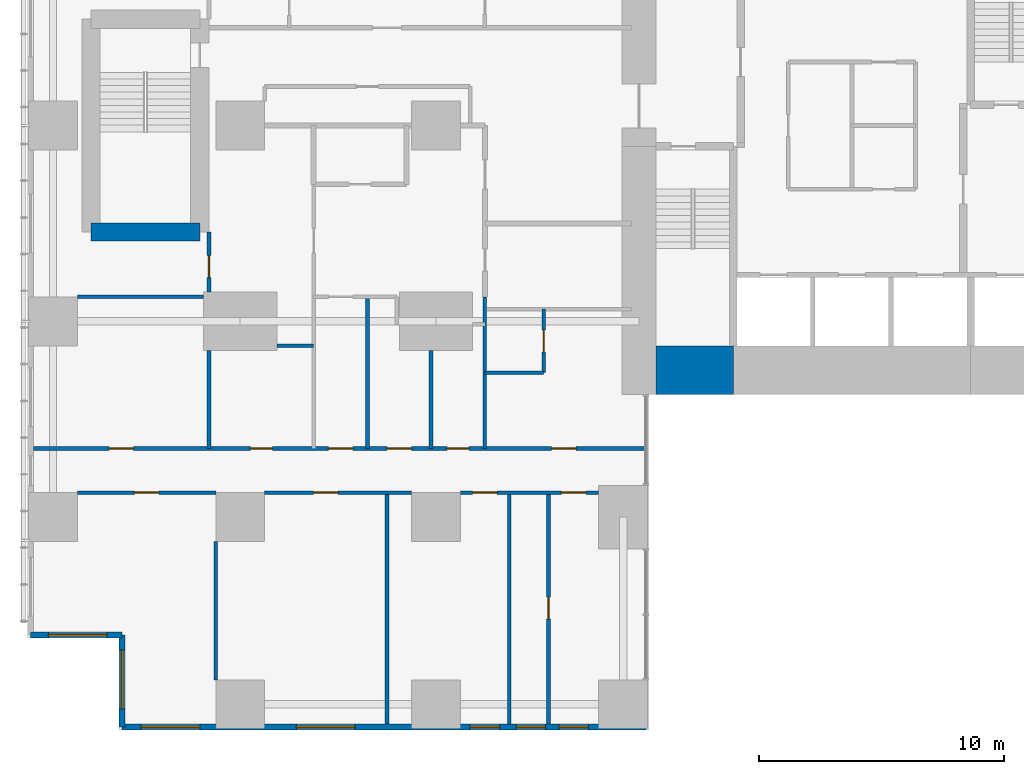
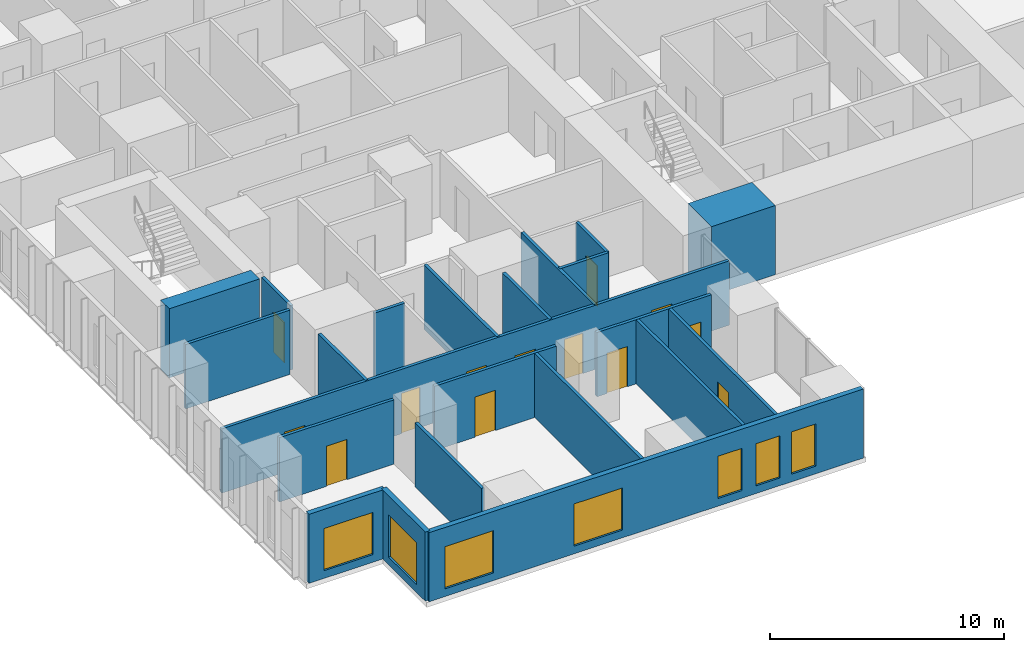
# One storey, part 12 of 20: 22 walls, 13 doors, 7 windows, 20 openings.
"""IFC4 building model written with IfcOpenShell, lengths in metres."""

from ifc_helpers import new_model, si_unit, direction, frame, frame_2d, origin, place, context, subcontext, project, spatial, rectangle, extrude, material, layer, layer_set, type_object, element, fill, save


model = new_model("IFC4")

# Units and contexts
model_context = context("Model", 3, precision=1e-05, world=origin(), true_north=direction((0.0, 1.0)))
body_context = subcontext(model_context, "Body", "Model", "MODEL_VIEW")
ifc_project = project(units=[si_unit("LENGTHUNIT", "METRE"), si_unit("AREAUNIT", "SQUARE_METRE"), si_unit("VOLUMEUNIT", "CUBIC_METRE"), si_unit("PLANEANGLEUNIT", "RADIAN"), si_unit("MASSUNIT", "GRAM", prefix="KILO")], contexts=[model_context])

# Site, building, storey
site_placement = place(None, origin())
site = spatial("IfcSite", under=ifc_project, at=site_placement, CompositionType="ELEMENT")
building_placement = place(site_placement, origin())
building = spatial("IfcBuilding", under=site, at=building_placement, Name="Cleftline Residences", CompositionType="ELEMENT")
storey_placement = place(building_placement, frame((0.0, 0.0, 103.39990234375)))
storey = spatial("IfcBuildingStorey", under=building, at=storey_placement, Name="L26", CompositionType="ELEMENT", Elevation=103.39990234375)

# Wall
ifc_material_1 = material(Name="Concrete B70", Category="concrete")
ifc_layer_1 = layer(ifc_material_1, 2.0)
ifc_layer_set_1 = layer_set([ifc_layer_1], Name="CORE WALL 2000")
wall_type_1 = type_object("IfcWallType", Name="CORE WALL 2000", PredefinedType="SHEAR", material=ifc_layer_set_1)
wall_1_placement = place(storey_placement, frame((25.0, 14.0, 0.0), z_axis=(0.0, 0.0, 1.0), x_axis=(1.0, 0.0, 0.0)))
element("IfcWall", 1, at=wall_1_placement, inside=storey, type_object=wall_type_1, Name="Core wall S1", PredefinedType="SHEAR", context=body_context, shape_type="SweptSolid", body=[
    extrude(rectangle(XDim=3.14990234375, YDim=2.0, at=frame_2d((1.574951171875, 0.0))), origin(), (0.0, 0.0, 1.0), 3.60009765625),
])

# Wall, opening, window
ifc_material_2 = material(Name="Rendered reinforced concrete blockwork", Category="masonry")
ifc_layer_2 = layer(ifc_material_2, 0.25)
ifc_layer_set_2 = layer_set([ifc_layer_2], Name="EXTERNAL WALL 250")
wall_type_2 = type_object("IfcWallType", Name="EXTERNAL WALL 250", PredefinedType="SOLIDWALL", material=ifc_layer_set_2)
wall_2_placement = place(storey_placement, frame((-0.574951171875, 3.175048828125, 0.0), z_axis=(0.0, 0.0, 1.0), x_axis=(1.0, 0.0, 0.0)))
wall_2 = element("IfcWall", 2, at=wall_2_placement, inside=storey, type_object=wall_type_2, Name="External wall", PredefinedType="SOLIDWALL", context=body_context, shape_type="SweptSolid", body=[
    extrude(rectangle(XDim=3.75, YDim=0.25, at=frame_2d((1.875, 0.0))), origin(), (0.0, 0.0, 1.0), 3.60009765625),
])
opening_1_placement = place(wall_2_placement, frame((0.737548828125, 0.0, 0.39990234375)))
opening_1 = element("IfcOpeningElement", 3, at=opening_1_placement, cuts=wall_2, Name="Opening W12", PredefinedType="OPENING", context=body_context, shape_type="SweptSolid", body=[
    extrude(rectangle(XDim=2.39990234375, YDim=2.199951171875, at=frame_2d((1.199951171875, 1.10009765625))), frame((0.0, 0.135009765625, 0.0), z_axis=(0.0, -1.0, 0.0), x_axis=(1.0, 0.0, 0.0)), (0.0, 0.0, 1.0), 0.27001953125),
])
ifc_material_3 = material(Name="Aluminium frame, clear double glazing", Category="aluminium")
window_type_1 = type_object("IfcWindowType", Name="WINDOW 2400X2200", PartitioningType="DOUBLE_PANEL_VERTICAL", PredefinedType="WINDOW", material=ifc_material_3)
window_1_placement = place(opening_1_placement, origin())
window_1 = element("IfcWindow", 4, at=window_1_placement, inside=storey, type_object=window_type_1, Name="Window", OverallHeight=2.199951171875, OverallWidth=2.39990234375, PartitioningType="SINGLE_PANEL", PredefinedType="WINDOW", context=body_context, shape_type="SweptSolid", body=[
    extrude(rectangle(XDim=2.39990234375, YDim=2.199951171875, at=frame_2d((1.199951171875, 1.10009765625))), frame((0.0, 0.030029296875, 0.0), z_axis=(0.0, -1.0, 0.0), x_axis=(1.0, 0.0, 0.0)), (0.0, 0.0, 1.0), 0.06005859375),
])
fill(opening_1, window_1)

wall_3_placement = place(storey_placement, frame((3.175048828125, 3.175048828125, 0.0), z_axis=(0.0, 0.0, 1.0), x_axis=(0.0, -1.0, 0.0)))
wall_3 = element("IfcWall", 5, at=wall_3_placement, inside=storey, type_object=wall_type_2, Name="External wall", PredefinedType="SOLIDWALL", context=body_context, shape_type="SweptSolid", body=[
    extrude(rectangle(XDim=3.75, YDim=0.25, at=frame_2d((1.875, 0.0))), origin(), (0.0, 0.0, 1.0), 3.60009765625),
])
opening_2_placement = place(wall_3_placement, frame((0.612548828125, 0.0, 0.39990234375)))
opening_2 = element("IfcOpeningElement", 6, at=opening_2_placement, cuts=wall_3, Name="Opening W12", PredefinedType="OPENING", context=body_context, shape_type="SweptSolid", body=[
    extrude(rectangle(XDim=2.39990234375, YDim=2.199951171875, at=frame_2d((1.199951171875, 1.10009765625))), frame((0.0, 0.135009765625, 0.0), z_axis=(0.0, -1.0, 0.0), x_axis=(1.0, 0.0, 0.0)), (0.0, 0.0, 1.0), 0.27001953125),
])
window_2_placement = place(opening_2_placement, origin())
window_2 = element("IfcWindow", 7, at=window_2_placement, inside=storey, type_object=window_type_1, Name="Window", OverallHeight=2.199951171875, OverallWidth=2.39990234375, PartitioningType="SINGLE_PANEL", PredefinedType="WINDOW", context=body_context, shape_type="SweptSolid", body=[
    extrude(rectangle(XDim=2.39990234375, YDim=2.199951171875, at=frame_2d((1.199951171875, 1.10009765625))), frame((0.0, 0.030029296875, 0.0), z_axis=(0.0, -1.0, 0.0), x_axis=(1.0, 0.0, 0.0)), (0.0, 0.0, 1.0), 0.06005859375),
])
fill(opening_2, window_2)

# Wall, openings, windows
wall_4_placement = place(storey_placement, frame((3.175048828125, -0.574951171875, 0.0), z_axis=(0.0, 0.0, 1.0), x_axis=(1.0, 0.0, 0.0)))
wall_4 = element("IfcWall", 8, at=wall_4_placement, inside=storey, type_object=wall_type_2, Name="External wall", PredefinedType="SOLIDWALL", context=body_context, shape_type="SweptSolid", body=[
    extrude(rectangle(XDim=21.39990234375, YDim=0.25, at=frame_2d((10.699951171875, 0.0))), origin(), (0.0, 0.0, 1.0), 3.60009765625),
])
opening_3_placement = place(wall_4_placement, frame((0.77490234375, 0.0, 0.39990234375)))
opening_3 = element("IfcOpeningElement", 9, at=opening_3_placement, cuts=wall_4, Name="Opening W12", PredefinedType="OPENING", context=body_context, shape_type="SweptSolid", body=[
    extrude(rectangle(XDim=2.39990234375, YDim=2.199951171875, at=frame_2d((1.199951171875, 1.10009765625))), frame((0.0, 0.135009765625, 0.0), z_axis=(0.0, -1.0, 0.0), x_axis=(1.0, 0.0, 0.0)), (0.0, 0.0, 1.0), 0.27001953125),
])
opening_4_placement = place(wall_4_placement, frame((7.125, 0.0, 0.39990234375)))
opening_4 = element("IfcOpeningElement", 10, at=opening_4_placement, cuts=wall_4, Name="Opening W12", PredefinedType="OPENING", context=body_context, shape_type="SweptSolid", body=[
    extrude(rectangle(XDim=2.39990234375, YDim=2.199951171875, at=frame_2d((1.199951171875, 1.10009765625))), frame((0.0, 0.135009765625, 0.0), z_axis=(0.0, -1.0, 0.0), x_axis=(1.0, 0.0, 0.0)), (0.0, 0.0, 1.0), 0.27001953125),
])
opening_5_placement = place(wall_4_placement, frame((14.22509765625, 0.0, 0.39990234375)))
opening_5 = element("IfcOpeningElement", 11, at=opening_5_placement, cuts=wall_4, Name="Opening W11", PredefinedType="OPENING", context=body_context, shape_type="SweptSolid", body=[
    extrude(rectangle(XDim=1.199951171875, YDim=2.199951171875, at=frame_2d((0.60009765625, 1.10009765625))), frame((0.0, 0.135009765625, 0.0), z_axis=(0.0, -1.0, 0.0), x_axis=(1.0, 0.0, 0.0)), (0.0, 0.0, 1.0), 0.27001953125),
])
opening_6_placement = place(wall_4_placement, frame((16.10009765625, 0.0, 0.39990234375)))
opening_6 = element("IfcOpeningElement", 12, at=opening_6_placement, cuts=wall_4, Name="Opening W11", PredefinedType="OPENING", context=body_context, shape_type="SweptSolid", body=[
    extrude(rectangle(XDim=1.199951171875, YDim=2.199951171875, at=frame_2d((0.60009765625, 1.10009765625))), frame((0.0, 0.135009765625, 0.0), z_axis=(0.0, -1.0, 0.0), x_axis=(1.0, 0.0, 0.0)), (0.0, 0.0, 1.0), 0.27001953125),
])
opening_7_placement = place(wall_4_placement, frame((17.85009765625, 0.0, 0.39990234375)))
opening_7 = element("IfcOpeningElement", 13, at=opening_7_placement, cuts=wall_4, Name="Opening W11", PredefinedType="OPENING", context=body_context, shape_type="SweptSolid", body=[
    extrude(rectangle(XDim=1.199951171875, YDim=2.199951171875, at=frame_2d((0.60009765625, 1.10009765625))), frame((0.0, 0.135009765625, 0.0), z_axis=(0.0, -1.0, 0.0), x_axis=(1.0, 0.0, 0.0)), (0.0, 0.0, 1.0), 0.27001953125),
])
ifc_material_4 = material(Name="Aluminium frame, clear double glazing", Category="aluminium")
window_type_2 = type_object("IfcWindowType", Name="WINDOW 1200X2200", PartitioningType="DOUBLE_PANEL_VERTICAL", PredefinedType="WINDOW", material=ifc_material_4)
window_3_placement = place(opening_5_placement, origin())
window_3 = element("IfcWindow", 14, at=window_3_placement, inside=storey, type_object=window_type_2, Name="Window", OverallHeight=2.199951171875, OverallWidth=1.199951171875, PartitioningType="SINGLE_PANEL", PredefinedType="WINDOW", context=body_context, shape_type="SweptSolid", body=[
    extrude(rectangle(XDim=1.199951171875, YDim=2.199951171875, at=frame_2d((0.60009765625, 1.10009765625))), frame((0.0, 0.030029296875, 0.0), z_axis=(0.0, -1.0, 0.0), x_axis=(1.0, 0.0, 0.0)), (0.0, 0.0, 1.0), 0.06005859375),
])
fill(opening_5, window_3)
window_4_placement = place(opening_6_placement, origin())
window_4 = element("IfcWindow", 15, at=window_4_placement, inside=storey, type_object=window_type_2, Name="Window", OverallHeight=2.199951171875, OverallWidth=1.199951171875, PartitioningType="SINGLE_PANEL", PredefinedType="WINDOW", context=body_context, shape_type="SweptSolid", body=[
    extrude(rectangle(XDim=1.199951171875, YDim=2.199951171875, at=frame_2d((0.60009765625, 1.10009765625))), frame((0.0, 0.030029296875, 0.0), z_axis=(0.0, -1.0, 0.0), x_axis=(1.0, 0.0, 0.0)), (0.0, 0.0, 1.0), 0.06005859375),
])
fill(opening_6, window_4)
window_5_placement = place(opening_7_placement, origin())
window_5 = element("IfcWindow", 16, at=window_5_placement, inside=storey, type_object=window_type_2, Name="Window", OverallHeight=2.199951171875, OverallWidth=1.199951171875, PartitioningType="SINGLE_PANEL", PredefinedType="WINDOW", context=body_context, shape_type="SweptSolid", body=[
    extrude(rectangle(XDim=1.199951171875, YDim=2.199951171875, at=frame_2d((0.60009765625, 1.10009765625))), frame((0.0, 0.030029296875, 0.0), z_axis=(0.0, -1.0, 0.0), x_axis=(1.0, 0.0, 0.0)), (0.0, 0.0, 1.0), 0.06005859375),
])
fill(opening_7, window_5)
window_6_placement = place(opening_3_placement, origin())
window_6 = element("IfcWindow", 17, at=window_6_placement, inside=storey, type_object=window_type_1, Name="Window", OverallHeight=2.199951171875, OverallWidth=2.39990234375, PartitioningType="SINGLE_PANEL", PredefinedType="WINDOW", context=body_context, shape_type="SweptSolid", body=[
    extrude(rectangle(XDim=2.39990234375, YDim=2.199951171875, at=frame_2d((1.199951171875, 1.10009765625))), frame((0.0, 0.030029296875, 0.0), z_axis=(0.0, -1.0, 0.0), x_axis=(1.0, 0.0, 0.0)), (0.0, 0.0, 1.0), 0.06005859375),
])
fill(opening_3, window_6)
window_7_placement = place(opening_4_placement, origin())
window_7 = element("IfcWindow", 18, at=window_7_placement, inside=storey, type_object=window_type_1, Name="Window", OverallHeight=2.199951171875, OverallWidth=2.39990234375, PartitioningType="SINGLE_PANEL", PredefinedType="WINDOW", context=body_context, shape_type="SweptSolid", body=[
    extrude(rectangle(XDim=2.39990234375, YDim=2.199951171875, at=frame_2d((1.199951171875, 1.10009765625))), frame((0.0, 0.030029296875, 0.0), z_axis=(0.0, -1.0, 0.0), x_axis=(1.0, 0.0, 0.0)), (0.0, 0.0, 1.0), 0.06005859375),
])
fill(opening_4, window_7)

# Wall, opening, door
ifc_material_5 = material(Name="Gypsum board on steel studs", Category="steel")
ifc_layer_3 = layer(ifc_material_5, 0.14990234375)
ifc_layer_set_3 = layer_set([ifc_layer_3], Name="PARTITION 150")
wall_type_3 = type_object("IfcWallType", Name="PARTITION 150", PredefinedType="PARTITIONING", material=ifc_layer_set_3)
wall_5_placement = place(storey_placement, frame((1.35009765625, 9.0, 0.0), z_axis=(0.0, 0.0, 1.0), x_axis=(1.0, 0.0, 0.0)))
wall_5 = element("IfcWall", 19, at=wall_5_placement, inside=storey, type_object=wall_type_3, Name="Partition", PredefinedType="PARTITIONING", context=body_context, shape_type="SweptSolid", body=[
    extrude(rectangle(XDim=5.64990234375, YDim=0.14990234375, at=frame_2d((2.824951171875, 0.0))), origin(), (0.0, 0.0, 1.0), 3.35009765625),
])
opening_8_placement = place(wall_5_placement, frame((2.324951171875, 0.0, 0.0)))
opening_8 = element("IfcOpeningElement", 20, at=opening_8_placement, cuts=wall_5, Name="Opening D2", PredefinedType="OPENING", context=body_context, shape_type="SweptSolid", body=[
    extrude(rectangle(XDim=1.0, YDim=2.10009765625, at=frame_2d((0.5, 1.050048828125))), frame((0.0, 0.0849609375, 0.0), z_axis=(0.0, -1.0, 0.0), x_axis=(1.0, 0.0, 0.0)), (0.0, 0.0, 1.0), 0.169921875),
])
ifc_material_6 = material(Name="Timber veneer on solid core", Category="wood")
door_type_1 = type_object("IfcDoorType", Name="DOOR 1000X2100", OperationType="SINGLE_SWING_LEFT", PredefinedType="DOOR", material=ifc_material_6)
door_1_placement = place(opening_8_placement, origin())
door_1 = element("IfcDoor", 21, at=door_1_placement, inside=storey, type_object=door_type_1, Name="Door to music room", OperationType="SINGLE_SWING_LEFT", OverallHeight=2.10009765625, OverallWidth=1.0, PredefinedType="DOOR", context=body_context, shape_type="SweptSolid", body=[
    extrude(rectangle(XDim=1.0, YDim=2.10009765625, at=frame_2d((0.5, 1.050048828125))), frame((0.0, 0.02490234375, 0.0), z_axis=(0.0, -1.0, 0.0), x_axis=(1.0, 0.0, 0.0)), (0.0, 0.0, 1.0), 0.050048828125),
])
fill(opening_8, door_1)

wall_6_placement = place(storey_placement, frame((9.0, 9.0, 0.0), z_axis=(0.0, 0.0, 1.0), x_axis=(1.0, 0.0, 0.0)))
wall_6 = element("IfcWall", 22, at=wall_6_placement, inside=storey, type_object=wall_type_3, Name="Partition", PredefinedType="PARTITIONING", context=body_context, shape_type="SweptSolid", body=[
    extrude(rectangle(XDim=6.0, YDim=0.14990234375, at=frame_2d((3.0, 0.0))), origin(), (0.0, 0.0, 1.0), 3.35009765625),
])
opening_9_placement = place(wall_6_placement, frame((2.0, 0.0, 0.0)))
opening_9 = element("IfcOpeningElement", 23, at=opening_9_placement, cuts=wall_6, Name="Opening D2", PredefinedType="OPENING", context=body_context, shape_type="SweptSolid", body=[
    extrude(rectangle(XDim=1.0, YDim=2.10009765625, at=frame_2d((0.5, 1.050048828125))), frame((0.0, 0.0849609375, 0.0), z_axis=(0.0, -1.0, 0.0), x_axis=(1.0, 0.0, 0.0)), (0.0, 0.0, 1.0), 0.169921875),
])
door_2_placement = place(opening_9_placement, origin())
door_2 = element("IfcDoor", 24, at=door_2_placement, inside=storey, type_object=door_type_1, Name="Door to living room", OperationType="SINGLE_SWING_RIGHT", OverallHeight=2.10009765625, OverallWidth=1.0, PredefinedType="DOOR", context=body_context, shape_type="SweptSolid", body=[
    extrude(rectangle(XDim=1.0, YDim=2.10009765625, at=frame_2d((0.5, 1.050048828125))), frame((0.0, 0.02490234375, 0.0), z_axis=(0.0, -1.0, 0.0), x_axis=(1.0, 0.0, 0.0)), (0.0, 0.0, 1.0), 0.050048828125),
])
fill(opening_9, door_2)

# Wall, openings, doors
wall_7_placement = place(storey_placement, frame((17.0, 9.0, 0.0), z_axis=(0.0, 0.0, 1.0), x_axis=(1.0, 0.0, 0.0)))
wall_7 = element("IfcWall", 25, at=wall_7_placement, inside=storey, type_object=wall_type_3, Name="Partition", PredefinedType="PARTITIONING", context=body_context, shape_type="SweptSolid", body=[
    extrude(rectangle(XDim=5.64990234375, YDim=0.14990234375, at=frame_2d((2.824951171875, 0.0))), origin(), (0.0, 0.0, 1.0), 3.35009765625),
])
opening_10_placement = place(wall_7_placement, frame((0.5, 0.0, 0.0)))
opening_10 = element("IfcOpeningElement", 26, at=opening_10_placement, cuts=wall_7, Name="Opening D2", PredefinedType="OPENING", context=body_context, shape_type="SweptSolid", body=[
    extrude(rectangle(XDim=1.0, YDim=2.10009765625, at=frame_2d((0.5, 1.050048828125))), frame((0.0, 0.0849609375, 0.0), z_axis=(0.0, -1.0, 0.0), x_axis=(1.0, 0.0, 0.0)), (0.0, 0.0, 1.0), 0.169921875),
])
opening_11_placement = place(wall_7_placement, frame((4.125, 0.0, 0.0)))
opening_11 = element("IfcOpeningElement", 27, at=opening_11_placement, cuts=wall_7, Name="Opening D2", PredefinedType="OPENING", context=body_context, shape_type="SweptSolid", body=[
    extrude(rectangle(XDim=1.0, YDim=2.10009765625, at=frame_2d((0.5, 1.050048828125))), frame((0.0, 0.0849609375, 0.0), z_axis=(0.0, -1.0, 0.0), x_axis=(1.0, 0.0, 0.0)), (0.0, 0.0, 1.0), 0.169921875),
])
door_3_placement = place(opening_10_placement, origin())
door_3 = element("IfcDoor", 28, at=door_3_placement, inside=storey, type_object=door_type_1, Name="Door to dining room", OperationType="SINGLE_SWING_RIGHT", OverallHeight=2.10009765625, OverallWidth=1.0, PredefinedType="DOOR", context=body_context, shape_type="SweptSolid", body=[
    extrude(rectangle(XDim=1.0, YDim=2.10009765625, at=frame_2d((0.5, 1.050048828125))), frame((0.0, 0.02490234375, 0.0), z_axis=(0.0, -1.0, 0.0), x_axis=(1.0, 0.0, 0.0)), (0.0, 0.0, 1.0), 0.050048828125),
])
fill(opening_10, door_3)
door_4_placement = place(opening_11_placement, origin())
door_4 = element("IfcDoor", 29, at=door_4_placement, inside=storey, type_object=door_type_1, Name="Door to show kitchen", OperationType="SINGLE_SWING_LEFT", OverallHeight=2.10009765625, OverallWidth=1.0, PredefinedType="DOOR", context=body_context, shape_type="SweptSolid", body=[
    extrude(rectangle(XDim=1.0, YDim=2.10009765625, at=frame_2d((0.5, 1.050048828125))), frame((0.0, 0.02490234375, 0.0), z_axis=(0.0, -1.0, 0.0), x_axis=(1.0, 0.0, 0.0)), (0.0, 0.0, 1.0), 0.050048828125),
])
fill(opening_11, door_4)

wall_8_placement = place(storey_placement, frame((-0.449951171875, 10.800048828125, 0.0), z_axis=(0.0, 0.0, 1.0), x_axis=(1.0, 0.0, 0.0)))
wall_8 = element("IfcWall", 30, at=wall_8_placement, inside=storey, type_object=wall_type_3, Name="Partition", PredefinedType="PARTITIONING", context=body_context, shape_type="SweptSolid", body=[
    extrude(rectangle(XDim=25.010986328125, YDim=0.14990234375, at=frame_2d((12.50537109375, 0.0))), origin(), (0.0, 0.0, 1.0), 3.35009765625),
])
opening_12_placement = place(wall_8_placement, frame((12.050048828125, 0.0, 0.0)))
opening_12 = element("IfcOpeningElement", 31, at=opening_12_placement, cuts=wall_8, Name="Opening D2", PredefinedType="OPENING", context=body_context, shape_type="SweptSolid", body=[
    extrude(rectangle(XDim=1.0, YDim=2.10009765625, at=frame_2d((0.5, 1.050048828125))), frame((0.0, 0.0849609375, 0.0), z_axis=(0.0, -1.0, 0.0), x_axis=(1.0, 0.0, 0.0)), (0.0, 0.0, 1.0), 0.169921875),
])
opening_13_placement = place(wall_8_placement, frame((3.08740234375, 0.0, 0.0)))
opening_13 = element("IfcOpeningElement", 32, at=opening_13_placement, cuts=wall_8, Name="Opening D2", PredefinedType="OPENING", context=body_context, shape_type="SweptSolid", body=[
    extrude(rectangle(XDim=1.0, YDim=2.10009765625, at=frame_2d((0.5, 1.050048828125))), frame((0.0, 0.0849609375, 0.0), z_axis=(0.0, -1.0, 0.0), x_axis=(1.0, 0.0, 0.0)), (0.0, 0.0, 1.0), 0.169921875),
])
opening_14_placement = place(wall_8_placement, frame((8.862548828125, 0.0, 0.0)))
opening_14 = element("IfcOpeningElement", 33, at=opening_14_placement, cuts=wall_8, Name="Opening D1", PredefinedType="OPENING", context=body_context, shape_type="SweptSolid", body=[
    extrude(rectangle(XDim=0.89990234375, YDim=2.10009765625, at=frame_2d((0.449951171875, 1.050048828125))), frame((0.0, 0.0849609375, 0.0), z_axis=(0.0, -1.0, 0.0), x_axis=(1.0, 0.0, 0.0)), (0.0, 0.0, 1.0), 0.169921875),
])
opening_15_placement = place(wall_8_placement, frame((14.449951171875, 0.0, 0.0)))
opening_15 = element("IfcOpeningElement", 34, at=opening_15_placement, cuts=wall_8, Name="Opening D2", PredefinedType="OPENING", context=body_context, shape_type="SweptSolid", body=[
    extrude(rectangle(XDim=1.0, YDim=2.10009765625, at=frame_2d((0.5, 1.050048828125))), frame((0.0, 0.0849609375, 0.0), z_axis=(0.0, -1.0, 0.0), x_axis=(1.0, 0.0, 0.0)), (0.0, 0.0, 1.0), 0.169921875),
])
opening_16_placement = place(wall_8_placement, frame((16.89990234375, 0.0, 0.0)))
opening_16 = element("IfcOpeningElement", 35, at=opening_16_placement, cuts=wall_8, Name="Opening D1", PredefinedType="OPENING", context=body_context, shape_type="SweptSolid", body=[
    extrude(rectangle(XDim=0.89990234375, YDim=2.10009765625, at=frame_2d((0.449951171875, 1.050048828125))), frame((0.0, 0.0849609375, 0.0), z_axis=(0.0, -1.0, 0.0), x_axis=(1.0, 0.0, 0.0)), (0.0, 0.0, 1.0), 0.169921875),
])
opening_17_placement = place(wall_8_placement, frame((21.175048828125, 0.0, 0.0)))
opening_17 = element("IfcOpeningElement", 36, at=opening_17_placement, cuts=wall_8, Name="Opening D2", PredefinedType="OPENING", context=body_context, shape_type="SweptSolid", body=[
    extrude(rectangle(XDim=1.0, YDim=2.10009765625, at=frame_2d((0.5, 1.050048828125))), frame((0.0, 0.0849609375, 0.0), z_axis=(0.0, -1.0, 0.0), x_axis=(1.0, 0.0, 0.0)), (0.0, 0.0, 1.0), 0.169921875),
])
door_5_placement = place(opening_12_placement, origin())
door_5 = element("IfcDoor", 37, at=door_5_placement, inside=storey, type_object=door_type_1, Name="Door to residence hall", OperationType="SINGLE_SWING_LEFT", OverallHeight=2.10009765625, OverallWidth=1.0, PredefinedType="DOOR", context=body_context, shape_type="SweptSolid", body=[
    extrude(rectangle(XDim=1.0, YDim=2.10009765625, at=frame_2d((0.5, 1.050048828125))), frame((0.0, 0.02490234375, 0.0), z_axis=(0.0, -1.0, 0.0), x_axis=(1.0, 0.0, 0.0)), (0.0, 0.0, 1.0), 0.050048828125),
])
fill(opening_12, door_5)
door_6_placement = place(opening_13_placement, origin())
door_6 = element("IfcDoor", 38, at=door_6_placement, inside=storey, type_object=door_type_1, Name="Door to altar room", OperationType="SINGLE_SWING_RIGHT", OverallHeight=2.10009765625, OverallWidth=1.0, PredefinedType="DOOR", context=body_context, shape_type="SweptSolid", body=[
    extrude(rectangle(XDim=1.0, YDim=2.10009765625, at=frame_2d((0.5, 1.050048828125))), frame((0.0, 0.02490234375, 0.0), z_axis=(0.0, -1.0, 0.0), x_axis=(1.0, 0.0, 0.0)), (0.0, 0.0, 1.0), 0.050048828125),
])
fill(opening_13, door_6)
door_7_placement = place(opening_15_placement, origin())
door_7 = element("IfcDoor", 39, at=door_7_placement, inside=storey, type_object=door_type_1, Name="Door to wet kitchen", OperationType="SINGLE_SWING_LEFT", OverallHeight=2.10009765625, OverallWidth=1.0, PredefinedType="DOOR", context=body_context, shape_type="SweptSolid", body=[
    extrude(rectangle(XDim=1.0, YDim=2.10009765625, at=frame_2d((0.5, 1.050048828125))), frame((0.0, 0.02490234375, 0.0), z_axis=(0.0, -1.0, 0.0), x_axis=(1.0, 0.0, 0.0)), (0.0, 0.0, 1.0), 0.050048828125),
])
fill(opening_15, door_7)
door_8_placement = place(opening_17_placement, origin())
door_8 = element("IfcDoor", 40, at=door_8_placement, inside=storey, type_object=door_type_1, Name="Door to staff bedroom", OperationType="SINGLE_SWING_LEFT", OverallHeight=2.10009765625, OverallWidth=1.0, PredefinedType="DOOR", context=body_context, shape_type="SweptSolid", body=[
    extrude(rectangle(XDim=1.0, YDim=2.10009765625, at=frame_2d((0.5, 1.050048828125))), frame((0.0, 0.02490234375, 0.0), z_axis=(0.0, -1.0, 0.0), x_axis=(1.0, 0.0, 0.0)), (0.0, 0.0, 1.0), 0.050048828125),
])
fill(opening_17, door_8)
ifc_material_7 = material(Name="Timber veneer on solid core", Category="wood")
door_type_2 = type_object("IfcDoorType", Name="DOOR 900X2100", OperationType="SINGLE_SWING_LEFT", PredefinedType="DOOR", material=ifc_material_7)
door_9_placement = place(opening_14_placement, origin())
door_9 = element("IfcDoor", 41, at=door_9_placement, inside=storey, type_object=door_type_2, Name="Door to wine room", OperationType="SINGLE_SWING_RIGHT", OverallHeight=2.10009765625, OverallWidth=0.89990234375, PredefinedType="DOOR", context=body_context, shape_type="SweptSolid", body=[
    extrude(rectangle(XDim=0.89990234375, YDim=2.10009765625, at=frame_2d((0.449951171875, 1.050048828125))), frame((0.0, 0.02490234375, 0.0), z_axis=(0.0, -1.0, 0.0), x_axis=(1.0, 0.0, 0.0)), (0.0, 0.0, 1.0), 0.050048828125),
])
fill(opening_14, door_9)
door_10_placement = place(opening_16_placement, origin())
door_10 = element("IfcDoor", 42, at=door_10_placement, inside=storey, type_object=door_type_2, Name="Door to pantry", OperationType="SINGLE_SWING_LEFT", OverallHeight=2.10009765625, OverallWidth=0.89990234375, PredefinedType="DOOR", context=body_context, shape_type="SweptSolid", body=[
    extrude(rectangle(XDim=0.89990234375, YDim=2.10009765625, at=frame_2d((0.449951171875, 1.050048828125))), frame((0.0, 0.02490234375, 0.0), z_axis=(0.0, -1.0, 0.0), x_axis=(1.0, 0.0, 0.0)), (0.0, 0.0, 1.0), 0.050048828125),
])
fill(opening_16, door_10)

# Walls
wall_9_placement = place(storey_placement, frame((18.0, 13.89990234375, 0.0), z_axis=(0.0, 0.0, 1.0), x_axis=(1.0, 0.0, 0.0)))
element("IfcWall", 43, at=wall_9_placement, inside=storey, type_object=wall_type_3, Name="Partition", PredefinedType="PARTITIONING", context=body_context, shape_type="SweptSolid", body=[
    extrude(rectangle(XDim=2.39990234375, YDim=0.14990234375, at=frame_2d((1.199951171875, 0.0))), origin(), (0.0, 0.0, 1.0), 3.35009765625),
])
wall_10_placement = place(storey_placement, frame((9.5, 15.0, 0.0), z_axis=(0.0, 0.0, 1.0), x_axis=(1.0, 0.0, 0.0)))
element("IfcWall", 44, at=wall_10_placement, inside=storey, type_object=wall_type_3, Name="Partition", PredefinedType="PARTITIONING", context=body_context, shape_type="SweptSolid", body=[
    extrude(rectangle(XDim=1.5, YDim=0.14990234375, at=frame_2d((0.75, 0.0))), origin(), (0.0, 0.0, 1.0), 3.35009765625),
])
wall_11_placement = place(storey_placement, frame((1.35009765625, 17.0, 0.0), z_axis=(0.0, 0.0, 1.0), x_axis=(1.0, 0.0, 0.0)))
element("IfcWall", 45, at=wall_11_placement, inside=storey, type_object=wall_type_3, Name="Partition", PredefinedType="PARTITIONING", context=body_context, shape_type="SweptSolid", body=[
    extrude(rectangle(XDim=5.14990234375, YDim=0.14990234375, at=frame_2d((2.574951171875, 0.0))), origin(), (0.0, 0.0, 1.0), 3.35009765625),
])
wall_12_placement = place(storey_placement, frame((6.72509765625, 10.800048828125, 0.0), z_axis=(0.0, 0.0, 1.0), x_axis=(0.0, 1.0, 0.0)))
element("IfcWall", 46, at=wall_12_placement, inside=storey, type_object=wall_type_3, Name="Partition", PredefinedType="PARTITIONING", context=body_context, shape_type="SweptSolid", body=[
    extrude(rectangle(XDim=4.0, YDim=0.14990234375, at=frame_2d((2.0, 0.0))), origin(), (0.0, 0.0, 1.0), 3.35009765625),
])

# Wall, opening, door
wall_13_placement = place(storey_placement, frame((6.72509765625, 17.199951171875, 0.0), z_axis=(0.0, 0.0, 1.0), x_axis=(0.0, 1.0, 0.0)))
wall_13 = element("IfcWall", 47, at=wall_13_placement, inside=storey, type_object=wall_type_3, Name="Partition", PredefinedType="PARTITIONING", context=body_context, shape_type="SweptSolid", body=[
    extrude(rectangle(XDim=2.449951171875, YDim=0.14990234375, at=frame_2d((1.22509765625, 0.0))), origin(), (0.0, 0.0, 1.0), 3.35009765625),
])
opening_18_placement = place(wall_13_placement, frame((0.58740234375, 0.0, 0.0)))
opening_18 = element("IfcOpeningElement", 48, at=opening_18_placement, cuts=wall_13, Name="Opening D1", PredefinedType="OPENING", context=body_context, shape_type="SweptSolid", body=[
    extrude(rectangle(XDim=0.89990234375, YDim=2.10009765625, at=frame_2d((0.449951171875, 1.050048828125))), frame((0.0, 0.0849609375, 0.0), z_axis=(0.0, -1.0, 0.0), x_axis=(1.0, 0.0, 0.0)), (0.0, 0.0, 1.0), 0.169921875),
])
door_11_placement = place(opening_18_placement, origin())
door_11 = element("IfcDoor", 49, at=door_11_placement, inside=storey, type_object=door_type_2, Name="Door to service loggia", OperationType="SINGLE_SWING_RIGHT", OverallHeight=2.10009765625, OverallWidth=0.89990234375, PredefinedType="DOOR", context=body_context, shape_type="SweptSolid", body=[
    extrude(rectangle(XDim=0.89990234375, YDim=2.10009765625, at=frame_2d((0.449951171875, 1.050048828125))), frame((0.0, 0.02490234375, 0.0), z_axis=(0.0, -1.0, 0.0), x_axis=(1.0, 0.0, 0.0)), (0.0, 0.0, 1.0), 0.050048828125),
])
fill(opening_18, door_11)

# Walls
wall_14_placement = place(storey_placement, frame((7.0, 1.35009765625, 0.0), z_axis=(0.0, 0.0, 1.0), x_axis=(0.0, 1.0, 0.0)))
element("IfcWall", 50, at=wall_14_placement, inside=storey, type_object=wall_type_3, Name="Partition", PredefinedType="PARTITIONING", context=body_context, shape_type="SweptSolid", body=[
    extrude(rectangle(XDim=5.64990234375, YDim=0.14990234375, at=frame_2d((2.824951171875, 0.0))), origin(), (0.0, 0.0, 1.0), 3.35009765625),
])
wall_15_placement = place(storey_placement, frame((13.199951171875, 10.800048828125, 0.0), z_axis=(0.0, 0.0, 1.0), x_axis=(0.0, 1.0, 0.0)))
element("IfcWall", 51, at=wall_15_placement, inside=storey, type_object=wall_type_3, Name="Partition", PredefinedType="PARTITIONING", context=body_context, shape_type="SweptSolid", body=[
    extrude(rectangle(XDim=6.199951171875, YDim=0.14990234375, at=frame_2d((3.10009765625, 0.0))), origin(), (0.0, 0.0, 1.0), 3.35009765625),
])
wall_16_placement = place(storey_placement, frame((14.0, -0.449951171875, 0.0), z_axis=(0.0, 0.0, 1.0), x_axis=(0.0, 1.0, 0.0)))
element("IfcWall", 52, at=wall_16_placement, inside=storey, type_object=wall_type_3, Name="Partition", PredefinedType="PARTITIONING", context=body_context, shape_type="SweptSolid", body=[
    extrude(rectangle(XDim=9.449951171875, YDim=0.14990234375, at=frame_2d((4.72509765625, 0.0))), origin(), (0.0, 0.0, 1.0), 3.35009765625),
])
wall_17_placement = place(storey_placement, frame((15.800048828125, 10.800048828125, 0.0), z_axis=(0.0, 0.0, 1.0), x_axis=(0.0, 1.0, 0.0)))
element("IfcWall", 53, at=wall_17_placement, inside=storey, type_object=wall_type_3, Name="Partition", PredefinedType="PARTITIONING", context=body_context, shape_type="SweptSolid", body=[
    extrude(rectangle(XDim=4.0, YDim=0.14990234375, at=frame_2d((2.0, 0.0))), origin(), (0.0, 0.0, 1.0), 3.35009765625),
])
wall_18_placement = place(storey_placement, frame((18.0, 10.800048828125, 0.0), z_axis=(0.0, 0.0, 1.0), x_axis=(0.0, 1.0, 0.0)))
element("IfcWall", 54, at=wall_18_placement, inside=storey, type_object=wall_type_3, Name="Partition", PredefinedType="PARTITIONING", context=body_context, shape_type="SweptSolid", body=[
    extrude(rectangle(XDim=6.199951171875, YDim=0.14990234375, at=frame_2d((3.10009765625, 0.0))), origin(), (0.0, 0.0, 1.0), 3.35009765625),
])
wall_19_placement = place(storey_placement, frame((19.0, -0.449951171875, 0.0), z_axis=(0.0, 0.0, 1.0), x_axis=(0.0, 1.0, 0.0)))
element("IfcWall", 55, at=wall_19_placement, inside=storey, type_object=wall_type_3, Name="Partition", PredefinedType="PARTITIONING", context=body_context, shape_type="SweptSolid", body=[
    extrude(rectangle(XDim=9.449951171875, YDim=0.14990234375, at=frame_2d((4.72509765625, 0.0))), origin(), (0.0, 0.0, 1.0), 3.35009765625),
])

# Wall, opening, door
wall_20_placement = place(storey_placement, frame((20.39990234375, 13.89990234375, 0.0), z_axis=(0.0, 0.0, 1.0), x_axis=(0.0, 1.0, 0.0)))
wall_20 = element("IfcWall", 56, at=wall_20_placement, inside=storey, type_object=wall_type_3, Name="Partition", PredefinedType="PARTITIONING", context=body_context, shape_type="SweptSolid", body=[
    extrude(rectangle(XDim=2.60009765625, YDim=0.14990234375, at=frame_2d((1.300048828125, 0.0))), origin(), (0.0, 0.0, 1.0), 3.35009765625),
])
opening_19_placement = place(wall_20_placement, frame((0.85009765625, 0.0, 0.0)))
opening_19 = element("IfcOpeningElement", 57, at=opening_19_placement, cuts=wall_20, Name="Opening D1", PredefinedType="OPENING", context=body_context, shape_type="SweptSolid", body=[
    extrude(rectangle(XDim=0.89990234375, YDim=2.10009765625, at=frame_2d((0.449951171875, 1.050048828125))), frame((0.0, 0.0849609375, 0.0), z_axis=(0.0, -1.0, 0.0), x_axis=(1.0, 0.0, 0.0)), (0.0, 0.0, 1.0), 0.169921875),
])
door_12_placement = place(opening_19_placement, origin())
door_12 = element("IfcDoor", 58, at=door_12_placement, inside=storey, type_object=door_type_2, Name="Door to staff shower room", OperationType="SINGLE_SWING_LEFT", OverallHeight=2.10009765625, OverallWidth=0.89990234375, PredefinedType="DOOR", context=body_context, shape_type="SweptSolid", body=[
    extrude(rectangle(XDim=0.89990234375, YDim=2.10009765625, at=frame_2d((0.449951171875, 1.050048828125))), frame((0.0, 0.02490234375, 0.0), z_axis=(0.0, -1.0, 0.0), x_axis=(1.0, 0.0, 0.0)), (0.0, 0.0, 1.0), 0.050048828125),
])
fill(opening_19, door_12)

wall_21_placement = place(storey_placement, frame((20.60009765625, -0.449951171875, 0.0), z_axis=(0.0, 0.0, 1.0), x_axis=(0.0, 1.0, 0.0)))
wall_21 = element("IfcWall", 59, at=wall_21_placement, inside=storey, type_object=wall_type_3, Name="Partition", PredefinedType="PARTITIONING", context=body_context, shape_type="SweptSolid", body=[
    extrude(rectangle(XDim=9.449951171875, YDim=0.14990234375, at=frame_2d((4.72509765625, 0.0))), origin(), (0.0, 0.0, 1.0), 3.35009765625),
])
opening_20_placement = place(wall_21_placement, frame((4.27490234375, 0.0, 0.0)))
opening_20 = element("IfcOpeningElement", 60, at=opening_20_placement, cuts=wall_21, Name="Opening D1", PredefinedType="OPENING", context=body_context, shape_type="SweptSolid", body=[
    extrude(rectangle(XDim=0.89990234375, YDim=2.10009765625, at=frame_2d((0.449951171875, 1.050048828125))), frame((0.0, 0.0849609375, 0.0), z_axis=(0.0, -1.0, 0.0), x_axis=(1.0, 0.0, 0.0)), (0.0, 0.0, 1.0), 0.169921875),
])
door_13_placement = place(opening_20_placement, origin())
door_13 = element("IfcDoor", 61, at=door_13_placement, inside=storey, type_object=door_type_2, Name="Door to larder", OperationType="SINGLE_SWING_LEFT", OverallHeight=2.10009765625, OverallWidth=0.89990234375, PredefinedType="DOOR", context=body_context, shape_type="SweptSolid", body=[
    extrude(rectangle(XDim=0.89990234375, YDim=2.10009765625, at=frame_2d((0.449951171875, 1.050048828125))), frame((0.0, 0.02490234375, 0.0), z_axis=(0.0, -1.0, 0.0), x_axis=(1.0, 0.0, 0.0)), (0.0, 0.0, 1.0), 0.050048828125),
])
fill(opening_20, door_13)

# Wall
ifc_material_8 = material(Name="Concrete B70", Category="concrete")
ifc_layer_4 = layer(ifc_material_8, 0.75)
ifc_layer_set_4 = layer_set([ifc_layer_4], Name="SHEAR WALL 750")
wall_type_4 = type_object("IfcWallType", Name="SHEAR WALL 750", PredefinedType="SHEAR", material=ifc_layer_set_4)
wall_22_placement = place(storey_placement, frame((1.89990234375, 19.64990234375, 0.0), z_axis=(0.0, 0.0, 1.0), x_axis=(1.0, 0.0, 0.0)))
element("IfcWall", 62, at=wall_22_placement, inside=storey, type_object=wall_type_4, Name="Wing shear wall", PredefinedType="SHEAR", context=body_context, shape_type="SweptSolid", body=[
    extrude(rectangle(XDim=4.4501953125, YDim=0.75, at=frame_2d((2.22509765625, 0.0))), origin(), (0.0, 0.0, 1.0), 3.60009765625),
])

save(model, "model.ifc")
